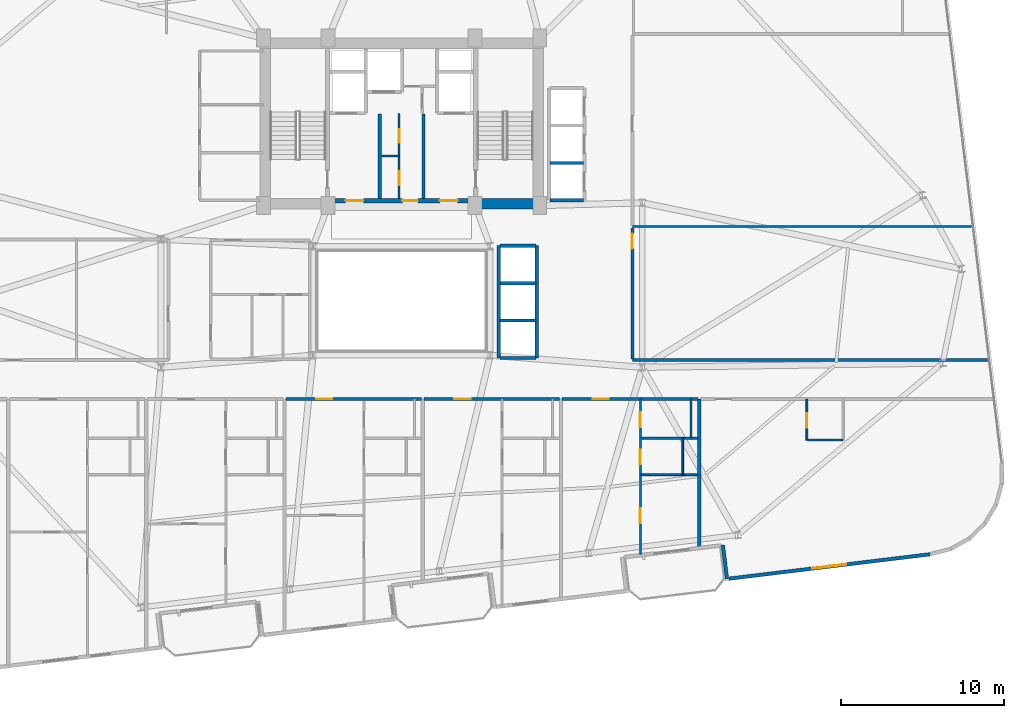
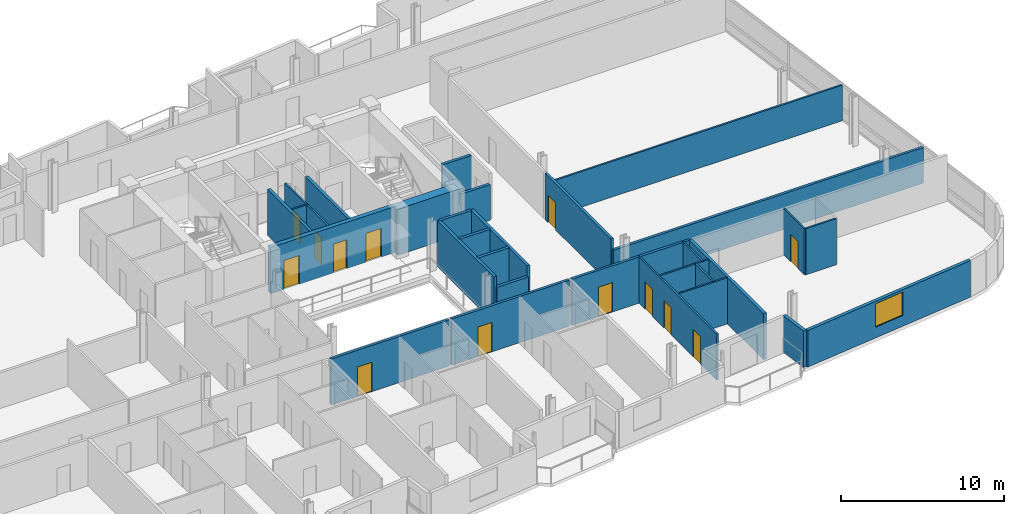
# One storey, part 16 of 23: 30 walls, 13 doors, 1 window, 14 openings.
"""IFC4 building model written with IfcOpenShell, lengths in metres."""

import ifcopenshell
import ifcopenshell.guid

model = None  # the IFC model being written
_history = None  # IfcOwnerHistory: only IFC2X3 demands one
_inside = {}  # id of a spatial element -> (the spatial element, [elements in it])
_under = {}  # id of a project, library or spatial element -> (it, [spatial elements below it])
_declared = {}  # id of a project -> (the project, [libraries it declares])
_typed = {}  # id of a type object -> (the type object, [elements of that type])
_made_of = {}  # id of a material, layer set ... -> (it, [elements and type objects made of it])


def new_model(schema):
    """Start an empty IFC model of exactly this schema.

    Asked for "IFC4X3", IfcOpenShell would pick the latest addendum, in which some entities
    have other attributes; the version numbers below select the first issue.
    IFC2X3 requires an IfcOwnerHistory on every rooted entity: one is made here for all.
    """
    global model, _history
    if schema == "IFC4X3":
        model = ifcopenshell.file(schema_version=(4, 3, 0, 0))
    else:
        model = ifcopenshell.file(schema=schema)
    _inside.clear()
    _under.clear()
    _declared.clear()
    _typed.clear()
    _made_of.clear()
    _history = None
    if model.schema == "IFC2X3":
        org = make("IfcOrganization", Name="unknown")
        user = make(
            "IfcPersonAndOrganization",
            ThePerson=make("IfcPerson", FamilyName="unknown"),
            TheOrganization=org,
        )
        app = make(
            "IfcApplication",
            ApplicationDeveloper=org,
            Version="unknown",
            ApplicationFullName="unknown",
            ApplicationIdentifier="unknown",
        )
        _history = make(
            "IfcOwnerHistory",
            OwningUser=user,
            OwningApplication=app,
            ChangeAction="ADDED",
            CreationDate=0,
        )
    return model


def make(cls, **values):
    """One entity of the class cls with the attributes given. An attribute that is None is left unset."""
    return model.create_entity(
        cls, **{name: value for name, value in values.items() if value is not None}
    )


def rooted(cls, **values):
    """An entity with a GlobalId (a new one), such as an element, a storey or a relation."""
    return make(cls, GlobalId=ifcopenshell.guid.new(), OwnerHistory=_history, **values)


def si_unit(unit_type, name, prefix=None):
    """IfcSIUnit, for example si_unit("LENGTHUNIT", "METRE", prefix="MILLI")."""
    return make("IfcSIUnit", UnitType=unit_type, Prefix=prefix, Name=name)


def assignment(units):
    """IfcUnitAssignment: the units of a project."""
    return None if units is None else make("IfcUnitAssignment", Units=units)


def point(xyz):
    """IfcCartesianPoint."""
    return None if xyz is None else make("IfcCartesianPoint", Coordinates=xyz)


def direction(xyz):
    """IfcDirection."""
    return None if xyz is None else make("IfcDirection", DirectionRatios=xyz)


def frame(location, z_axis=None, x_axis=None):
    """IfcAxis2Placement3D, a coordinate frame: its origin and axes. An axis left out is left unset."""
    return make(
        "IfcAxis2Placement3D",
        Location=point(location),
        Axis=direction(z_axis),
        RefDirection=direction(x_axis),
    )


def frame_2d(location, x_axis=None):
    """IfcAxis2Placement2D, a coordinate frame in the plane: its origin and x axis."""
    return make(
        "IfcAxis2Placement2D", Location=point(location), RefDirection=direction(x_axis)
    )


def origin():
    """The frame at (0, 0, 0) with its axes left unset."""
    return frame((0.0, 0.0, 0.0))


def place(relative_to, where):
    """IfcLocalPlacement: puts the frame where relative to a parent placement (None: the world)."""
    return make(
        "IfcLocalPlacement", PlacementRelTo=relative_to, RelativePlacement=where
    )


def context(
    kind, dimensions, precision=None, world=None, true_north=None, identifier=None
):
    """IfcGeometricRepresentationContext, for example the 3D "Model" context."""
    return make(
        "IfcGeometricRepresentationContext",
        ContextIdentifier=identifier,
        ContextType=kind,
        CoordinateSpaceDimension=dimensions,
        Precision=precision,
        WorldCoordinateSystem=world,
        TrueNorth=true_north,
    )


def subcontext(parent, identifier, kind, view, scale=None):
    """IfcGeometricRepresentationSubContext, for example "Body" below "Model"."""
    return make(
        "IfcGeometricRepresentationSubContext",
        ContextIdentifier=identifier,
        ContextType=kind,
        ParentContext=parent,
        TargetScale=scale,
        TargetView=view,
    )


def project(units=None, contexts=None):
    """IfcProject with its units and contexts."""
    return rooted(
        "IfcProject",
        Name="project",
        RepresentationContexts=contexts,
        UnitsInContext=assignment(units),
    )


def spatial(cls, under=None, at=None, **own):
    """A site, building, storey or space (cls), placed at a placement, below another one or the project."""
    s = rooted(cls, ObjectPlacement=at, **own)
    if under is not None:
        _under.setdefault(under.id(), (under, []))[1].append(s)
    return s


def profile(cls, at=None, kind="AREA", **sizes):
    """A parametric profile (cls). Its sizes go by their IFC names, for example OverallWidth=200.0."""
    return make(cls, ProfileType=kind, Position=at, **sizes)


def rectangle(**sizes):
    """IfcRectangleProfileDef."""
    return profile("IfcRectangleProfileDef", **sizes)


def extrude(swept, where, along, depth):
    """IfcExtrudedAreaSolid: the profile swept, set in the frame where, extruded along a direction by depth."""
    return make(
        "IfcExtrudedAreaSolid",
        SweptArea=swept,
        Position=where,
        ExtrudedDirection=direction(along),
        Depth=depth,
    )


def shape(context_of_items, identifier, shape_type, items):
    """IfcShapeRepresentation: the items that make up one representation, for example the "Body"."""
    return make(
        "IfcShapeRepresentation",
        ContextOfItems=context_of_items,
        RepresentationIdentifier=identifier,
        RepresentationType=shape_type,
        Items=items,
    )


def material(Name=None, Category=None):
    """IfcMaterial."""
    return make("IfcMaterial", Name=Name, Category=Category)


def layer(
    of_material, thickness, ventilated=None, Name=None, Category=None, Priority=None
):
    """IfcMaterialLayer: one layer of a wall or slab, of a material (None: an air gap)."""
    return make(
        "IfcMaterialLayer",
        Material=of_material,
        LayerThickness=thickness,
        IsVentilated=ventilated,
        Name=Name,
        Category=Category,
        Priority=Priority,
    )


def layer_set(layers, Name=None):
    """IfcMaterialLayerSet."""
    return make("IfcMaterialLayerSet", MaterialLayers=layers, LayerSetName=Name)


def made_of(thing, what):
    """Note that an element or type object is made of a material, layer set ...; save() writes the relation."""
    if what is not None:
        _made_of.setdefault(what.id(), (what, []))[1].append(thing)
    return thing


def type_object(cls, material=None, **own):
    """A type object (cls), such as IfcWallType, which elements share."""
    return made_of(rooted(cls, **own), material)


def element(
    cls,
    number,
    at=None,
    inside=None,
    cuts=None,
    type_object=None,
    material=None,
    context=None,
    identifier="Body",
    shape_type=None,
    held_by="IfcProductDefinitionShape",
    body=None,
    shapes=None,
    **own,
):
    """One element of the class cls, such as IfcWall. Its Tag is "e" and its number.

    at: its placement. inside: the storey or other place that contains it. cuts: it is an
    opening in that element (IfcRelVoidsElement). A single representation is given by context,
    identifier, shape_type and body (its items); several are given by shapes. held_by: the class
    of the entity that holds the representations. save() writes the other relations.
    """
    e = rooted(cls, Tag="e%d" % number, ObjectPlacement=at, **own)
    if body is not None:
        shapes = [shape(context, identifier, shape_type, body)]
    if shapes is not None:
        e.Representation = make(held_by, Representations=shapes)
    if inside is not None:
        _inside.setdefault(inside.id(), (inside, []))[1].append(e)
    if cuts is not None:
        rooted(
            "IfcRelVoidsElement", RelatingBuildingElement=cuts, RelatedOpeningElement=e
        )
    if type_object is not None:
        _typed.setdefault(type_object.id(), (type_object, []))[1].append(e)
    return made_of(e, material)


def fill(opening, filler):
    """IfcRelFillsElement: the door or window that sits in an opening."""
    return rooted(
        "IfcRelFillsElement",
        RelatingOpeningElement=opening,
        RelatedBuildingElement=filler,
    )


def aggregate(whole, parts):
    """IfcRelAggregates: a whole, such as a stair, and the parts it consists of."""
    return rooted("IfcRelAggregates", RelatingObject=whole, RelatedObjects=parts)


def save(model, path):
    """Write the relations noted so far, then the file.

    IfcRelAggregates (storeys below a building ...), IfcRelContainedInSpatialStructure (elements
    in a storey), IfcRelDefinesByType, IfcRelAssociatesMaterial and IfcRelDeclares: one each for
    every whole, place, type object, material and project.
    """
    for whole, parts in _under.values():
        aggregate(whole, parts)
    for where, things in _inside.values():
        rooted(
            "IfcRelContainedInSpatialStructure",
            RelatedElements=things,
            RelatingStructure=where,
        )
    for kind, things in _typed.values():
        rooted("IfcRelDefinesByType", RelatedObjects=things, RelatingType=kind)
    for what, things in _made_of.values():
        rooted("IfcRelAssociatesMaterial", RelatedObjects=things, RelatingMaterial=what)
    for by, libraries in _declared.values():
        rooted("IfcRelDeclares", RelatingContext=by, RelatedDefinitions=libraries)
    model.write(path)


model = new_model("IFC4")

# Units and contexts
model_context = context("Model", 3, precision=1e-05, world=origin(), true_north=direction((0.0, 1.0)))
body_context = subcontext(model_context, "Body", "Model", "MODEL_VIEW")
ifc_project = project(units=[si_unit("LENGTHUNIT", "METRE"), si_unit("AREAUNIT", "SQUARE_METRE"), si_unit("VOLUMEUNIT", "CUBIC_METRE"), si_unit("PLANEANGLEUNIT", "RADIAN"), si_unit("MASSUNIT", "GRAM", prefix="KILO")], contexts=[model_context])

# Site, building, storey
site_placement = place(None, origin())
site = spatial("IfcSite", under=ifc_project, at=site_placement, CompositionType="ELEMENT")
building_placement = place(site_placement, origin())
building = spatial("IfcBuilding", under=site, at=building_placement, Name="Varnelok Gate Tower", CompositionType="ELEMENT")
storey_placement = place(building_placement, frame((0.0, 0.0, 189.39990234375)))
storey = spatial("IfcBuildingStorey", under=building, at=storey_placement, Name="L48", CompositionType="ELEMENT", Elevation=189.39990234375)

# Wall
ifc_material_1 = material(Name="Concrete C45/55", Category="concrete")
ifc_layer_1 = layer(ifc_material_1, 0.219970703125)
ifc_layer_set_1 = layer_set([ifc_layer_1], Name="Concrete C45/55")
wall_type_1 = type_object("IfcWallType", Name="EW-BALC-220", PredefinedType="SOLIDWALL", material=ifc_layer_set_1)
wall_1_placement = place(storey_placement, frame((58.961181640625, 7.87158203125, 0.0), z_axis=(0.0, 0.0, 1.0), x_axis=(0.120327895535, -0.992734202874, 0.0)))
element("IfcWall", 1, at=wall_1_placement, inside=storey, type_object=wall_type_1, Name="L48 Perimeter Facade Closure Wall 15", PredefinedType="SOLIDWALL", context=body_context, shape_type="SweptSolid", body=[
    extrude(rectangle(XDim=2.099853515625, YDim=0.219970703125, at=frame_2d((1.0498046875, 0.0))), origin(), (0.0, 0.0, 1.0), 2.72998046875),
])

# Wall, opening, window
wall_2_placement = place(storey_placement, frame((59.337890625, 5.8017578125, 0.0), z_axis=(0.0, 0.0, 1.0), x_axis=(0.992731225757, 0.120352454927, 0.0)))
wall_2 = element("IfcWall", 2, at=wall_2_placement, inside=storey, type_object=wall_type_1, Name="L48 Perimeter Facade Closure Wall 16", PredefinedType="SOLIDWALL", context=body_context, shape_type="SweptSolid", body=[
    extrude(rectangle(XDim=12.447265625, YDim=0.219970703125, at=frame_2d((6.2236328125, 0.0))), origin(), (0.0, 0.0, 1.0), 2.72998046875),
])
opening_1_placement = place(wall_2_placement, frame((5.173583984375, 0.0, 0.800048828125)))
opening_1 = element("IfcOpeningElement", 3, at=opening_1_placement, cuts=wall_2, Name="Opening WN4", PredefinedType="OPENING", context=body_context, shape_type="SweptSolid", body=[
    extrude(rectangle(XDim=2.10009765625, YDim=1.75, at=frame_2d((1.050048828125, 0.875))), frame((0.0, 0.119873046875, 0.0), z_axis=(0.0, -1.0, 0.0), x_axis=(1.0, 0.0, 0.0)), (0.0, 0.0, 1.0), 0.239990234375),
])
ifc_material_2 = material(Name="Low-E Laminated Double Glazing IGU", Category="glass")
window_type = type_object("IfcWindowType", Name="WN-SUI-2100", PartitioningType="SINGLE_PANEL", PredefinedType="WINDOW", material=ifc_material_2)
window_placement = place(opening_1_placement, origin())
window = element("IfcWindow", 4, at=window_placement, inside=storey, type_object=window_type, Name="L48 Perimeter Vision Window 16", OverallHeight=1.75, OverallWidth=2.10009765625, PartitioningType="SINGLE_PANEL", PredefinedType="WINDOW", context=body_context, shape_type="SweptSolid", body=[
    extrude(rectangle(XDim=2.10009765625, YDim=1.75, at=frame_2d((1.050048828125, 0.875))), frame((0.0, 0.030029296875, 0.0), z_axis=(0.0, -1.0, 0.0), x_axis=(1.0, 0.0, 0.0)), (0.0, 0.0, 1.0), 0.06005859375),
])
fill(opening_1, window)

# Wall, opening, door
ifc_material_3 = material(Name="Gypsum Plasterboard Acoustic Partition", Category="gypsum")
ifc_layer_2 = layer(ifc_material_3, 0.179931640625)
ifc_layer_set_2 = layer_set([ifc_layer_2], Name="Gypsum Plasterboard Acoustic Partition")
wall_type_2 = type_object("IfcWallType", Name="PW-CORR-180", PredefinedType="PARTITIONING", material=ifc_layer_set_2)
wall_3_placement = place(storey_placement, frame((32.080078125, 16.85009765625, 0.0), z_axis=(0.0, 0.0, 1.0), x_axis=(1.0, 0.0, 0.0)))
wall_3 = element("IfcWall", 5, at=wall_3_placement, inside=storey, type_object=wall_type_2, Name="Interior Partition", PredefinedType="PARTITIONING", context=body_context, shape_type="SweptSolid", body=[
    extrude(rectangle(XDim=8.33984375, YDim=0.179931640625, at=frame_2d((4.169921875, 0.0))), origin(), (0.0, 0.0, 1.0), 3.4501953125),
])
opening_2_placement = place(wall_3_placement, frame((1.86767578125, 0.0, 0.0)))
opening_2 = element("IfcOpeningElement", 6, at=opening_2_placement, cuts=wall_3, Name="Opening D-AP", PredefinedType="OPENING", context=body_context, shape_type="SweptSolid", body=[
    extrude(rectangle(XDim=1.0, YDim=2.199951171875, at=frame_2d((0.5, 1.10009765625))), frame((0.0, 0.099853515625, 0.0), z_axis=(0.0, -1.0, 0.0), x_axis=(1.0, 0.0, 0.0)), (0.0, 0.0, 1.0), 0.199951171875),
])
ifc_material_4 = material(Name="Engineered Hardwood Timber", Category="wood")
door_type_1 = type_object("IfcDoorType", Name="DR-APT-1000", OperationType="NOTDEFINED", PredefinedType="DOOR", material=ifc_material_4)
door_1_placement = place(opening_2_placement, origin())
door_1 = element("IfcDoor", 7, at=door_1_placement, inside=storey, type_object=door_type_1, Name="L48 Apartment 4 Entrance Door", OperationType="SINGLE_SWING_LEFT", OverallHeight=2.199951171875, OverallWidth=1.0, PredefinedType="DOOR", context=body_context, shape_type="SweptSolid", body=[
    extrude(rectangle(XDim=1.0, YDim=2.199951171875, at=frame_2d((0.5, 1.10009765625))), frame((0.0, 0.02490234375, 0.0), z_axis=(0.0, -1.0, 0.0), x_axis=(1.0, 0.0, 0.0)), (0.0, 0.0, 1.0), 0.050048828125),
])
fill(opening_2, door_1)

wall_4_placement = place(storey_placement, frame((40.580078125, 16.85009765625, 0.0), z_axis=(0.0, 0.0, 1.0), x_axis=(1.0, 0.0, 0.0)))
wall_4 = element("IfcWall", 8, at=wall_4_placement, inside=storey, type_object=wall_type_2, Name="Interior Partition", PredefinedType="PARTITIONING", context=body_context, shape_type="SweptSolid", body=[
    extrude(rectangle(XDim=8.33984375, YDim=0.179931640625, at=frame_2d((4.169921875, 0.0))), origin(), (0.0, 0.0, 1.0), 3.4501953125),
])
opening_3_placement = place(wall_4_placement, frame((1.86767578125, 0.0, 0.0)))
opening_3 = element("IfcOpeningElement", 9, at=opening_3_placement, cuts=wall_4, Name="Opening D-AP", PredefinedType="OPENING", context=body_context, shape_type="SweptSolid", body=[
    extrude(rectangle(XDim=1.0, YDim=2.199951171875, at=frame_2d((0.5, 1.10009765625))), frame((0.0, 0.099853515625, 0.0), z_axis=(0.0, -1.0, 0.0), x_axis=(1.0, 0.0, 0.0)), (0.0, 0.0, 1.0), 0.199951171875),
])
door_2_placement = place(opening_3_placement, origin())
door_2 = element("IfcDoor", 10, at=door_2_placement, inside=storey, type_object=door_type_1, Name="L48 Apartment 5 Entrance Door", OperationType="SINGLE_SWING_RIGHT", OverallHeight=2.199951171875, OverallWidth=1.0, PredefinedType="DOOR", context=body_context, shape_type="SweptSolid", body=[
    extrude(rectangle(XDim=1.0, YDim=2.199951171875, at=frame_2d((0.5, 1.10009765625))), frame((0.0, 0.02490234375, 0.0), z_axis=(0.0, -1.0, 0.0), x_axis=(1.0, 0.0, 0.0)), (0.0, 0.0, 1.0), 0.050048828125),
])
fill(opening_3, door_2)

wall_5_placement = place(storey_placement, frame((49.080078125, 16.85009765625, 0.0), z_axis=(0.0, 0.0, 1.0), x_axis=(1.0, 0.0, 0.0)))
wall_5 = element("IfcWall", 11, at=wall_5_placement, inside=storey, type_object=wall_type_2, Name="Interior Partition", PredefinedType="PARTITIONING", context=body_context, shape_type="SweptSolid", body=[
    extrude(rectangle(XDim=8.33984375, YDim=0.179931640625, at=frame_2d((4.169921875, 0.0))), origin(), (0.0, 0.0, 1.0), 3.4501953125),
])
opening_4_placement = place(wall_5_placement, frame((1.86767578125, 0.0, 0.0)))
opening_4 = element("IfcOpeningElement", 12, at=opening_4_placement, cuts=wall_5, Name="Opening D-AP", PredefinedType="OPENING", context=body_context, shape_type="SweptSolid", body=[
    extrude(rectangle(XDim=1.0, YDim=2.199951171875, at=frame_2d((0.5, 1.10009765625))), frame((0.0, 0.099853515625, 0.0), z_axis=(0.0, -1.0, 0.0), x_axis=(1.0, 0.0, 0.0)), (0.0, 0.0, 1.0), 0.199951171875),
])
door_3_placement = place(opening_4_placement, origin())
door_3 = element("IfcDoor", 13, at=door_3_placement, inside=storey, type_object=door_type_1, Name="L48 Apartment 6 Entrance Door", OperationType="SINGLE_SWING_LEFT", OverallHeight=2.199951171875, OverallWidth=1.0, PredefinedType="DOOR", context=body_context, shape_type="SweptSolid", body=[
    extrude(rectangle(XDim=1.0, YDim=2.199951171875, at=frame_2d((0.5, 1.10009765625))), frame((0.0, 0.02490234375, 0.0), z_axis=(0.0, -1.0, 0.0), x_axis=(1.0, 0.0, 0.0)), (0.0, 0.0, 1.0), 0.050048828125),
])
fill(opening_4, door_3)

wall_6_placement = place(storey_placement, frame((53.389892578125, 19.300048828125, 0.0), z_axis=(0.0, 0.0, 1.0), x_axis=(0.0, 1.0, 0.0)))
wall_6 = element("IfcWall", 14, at=wall_6_placement, inside=storey, type_object=wall_type_2, Name="Interior Partition", PredefinedType="PARTITIONING", context=body_context, shape_type="SweptSolid", body=[
    extrude(rectangle(XDim=8.070068359375, YDim=0.179931640625, at=frame_2d((4.03515625, 0.0))), origin(), (0.0, 0.0, 1.0), 3.4501953125),
])
opening_5_placement = place(wall_6_placement, frame((6.800048828125, 0.0, 0.0)))
opening_5 = element("IfcOpeningElement", 15, at=opening_5_placement, cuts=wall_6, Name="Opening D-I3", PredefinedType="OPENING", context=body_context, shape_type="SweptSolid", body=[
    extrude(rectangle(XDim=0.919921875, YDim=2.050048828125, at=frame_2d((0.4599609375, 1.02490234375))), frame((0.0, 0.099853515625, 0.0), z_axis=(0.0, -1.0, 0.0), x_axis=(1.0, 0.0, 0.0)), (0.0, 0.0, 1.0), 0.199951171875),
])
door_type_2 = type_object("IfcDoorType", Name="DR-INT-920", OperationType="NOTDEFINED", PredefinedType="DOOR", material=ifc_material_4)
door_4_placement = place(opening_5_placement, origin())
door_4 = element("IfcDoor", 16, at=door_4_placement, inside=storey, type_object=door_type_2, Name="L48 East Suite 1 Door", OperationType="SINGLE_SWING_LEFT", OverallHeight=2.050048828125, OverallWidth=0.919921875, PredefinedType="DOOR", context=body_context, shape_type="SweptSolid", body=[
    extrude(rectangle(XDim=0.919921875, YDim=2.050048828125, at=frame_2d((0.4599609375, 1.02490234375))), frame((0.0, 0.02490234375, 0.0), z_axis=(0.0, -1.0, 0.0), x_axis=(1.0, 0.0, 0.0)), (0.0, 0.0, 1.0), 0.050048828125),
])
fill(opening_5, door_4)

# Walls
wall_7_placement = place(storey_placement, frame((53.389892578125, 19.239990234375, 0.0), z_axis=(0.0, 0.0, 1.0), x_axis=(1.0, 0.0, 0.0)))
element("IfcWall", 17, at=wall_7_placement, inside=storey, type_object=wall_type_2, Name="Interior Partition", PredefinedType="PARTITIONING", context=body_context, shape_type="SweptSolid", body=[
    extrude(rectangle(XDim=21.922119140625, YDim=0.179931640625, at=frame_2d((10.9609375, 0.0))), origin(), (0.0, 0.0, 1.0), 2.662109375),
])
ifc_layer_3 = layer(ifc_material_3, 0.114990234375)
ifc_layer_set_3 = layer_set([ifc_layer_3], Name="Gypsum Plasterboard Acoustic Partition")
wall_type_3 = type_object("IfcWallType", Name="PW-ENS-125", PredefinedType="PARTITIONING", material=ifc_layer_set_3)
wall_8_placement = place(storey_placement, frame((53.955078125, 12.199951171875, 0.0), z_axis=(0.0, 0.0, 1.0), x_axis=(1.0, 0.0, 0.0)))
element("IfcWall", 18, at=wall_8_placement, inside=storey, type_object=wall_type_3, Name="Interior Partition", PredefinedType="PARTITIONING", context=body_context, shape_type="SweptSolid", body=[
    extrude(rectangle(XDim=3.46484375, YDim=0.114990234375, at=frame_2d((1.732421875, 0.0))), origin(), (0.0, 0.0, 1.0), 3.4501953125),
])
wall_9_placement = place(storey_placement, frame((56.4951171875, 12.199951171875, 0.0), z_axis=(0.0, 0.0, 1.0), x_axis=(0.0, 1.0, 0.0)))
element("IfcWall", 19, at=wall_9_placement, inside=storey, type_object=wall_type_3, Name="Interior Partition", PredefinedType="PARTITIONING", context=body_context, shape_type="SweptSolid", body=[
    extrude(rectangle(XDim=2.239990234375, YDim=0.114990234375, at=frame_2d((1.1201171875, 0.0))), origin(), (0.0, 0.0, 1.0), 3.4501953125),
])
wall_10_placement = place(storey_placement, frame((64.169921875, 14.330078125, 0.0), z_axis=(0.0, 0.0, 1.0), x_axis=(1.0, 0.0, 0.0)))
element("IfcWall", 20, at=wall_10_placement, inside=storey, type_object=wall_type_3, Name="Interior Partition", PredefinedType="PARTITIONING", context=body_context, shape_type="SweptSolid", body=[
    extrude(rectangle(XDim=2.150146484375, YDim=0.114990234375, at=frame_2d((1.0751953125, 0.0))), origin(), (0.0, 0.0, 1.0), 3.4501953125),
])

# Wall, opening, door
wall_11_placement = place(storey_placement, frame((64.1298828125, 14.330078125, 0.0), z_axis=(0.0, 0.0, 1.0), x_axis=(0.0, 1.0, 0.0)))
wall_11 = element("IfcWall", 21, at=wall_11_placement, inside=storey, type_object=wall_type_3, Name="Interior Partition", PredefinedType="PARTITIONING", context=body_context, shape_type="SweptSolid", body=[
    extrude(rectangle(XDim=2.52001953125, YDim=0.114990234375, at=frame_2d((1.260009765625, 0.0))), origin(), (0.0, 0.0, 1.0), 3.4501953125),
])
opening_6_placement = place(wall_11_placement, frame((0.760009765625, 0.0, 0.0)))
opening_6 = element("IfcOpeningElement", 22, at=opening_6_placement, cuts=wall_11, Name="Opening D-WC", PredefinedType="OPENING", context=body_context, shape_type="SweptSolid", body=[
    extrude(rectangle(XDim=0.89990234375, YDim=2.050048828125, at=frame_2d((0.449951171875, 1.02490234375))), frame((0.0, 0.0673828125, 0.0), z_axis=(0.0, -1.0, 0.0), x_axis=(1.0, 0.0, 0.0)), (0.0, 0.0, 1.0), 0.135009765625),
])
door_type_3 = type_object("IfcDoorType", Name="DR-BATH-900", OperationType="NOTDEFINED", PredefinedType="DOOR", material=ifc_material_4)
door_5_placement = place(opening_6_placement, origin())
door_5 = element("IfcDoor", 23, at=door_5_placement, inside=storey, type_object=door_type_3, Name="L48 Guest En-Suite 07 Door", OperationType="SINGLE_SWING_RIGHT", OverallHeight=2.050048828125, OverallWidth=0.89990234375, PredefinedType="DOOR", context=body_context, shape_type="SweptSolid", body=[
    extrude(rectangle(XDim=0.89990234375, YDim=2.050048828125, at=frame_2d((0.449951171875, 1.02490234375))), frame((0.0, 0.02490234375, 0.0), z_axis=(0.0, -1.0, 0.0), x_axis=(1.0, 0.0, 0.0)), (0.0, 0.0, 1.0), 0.050048828125),
])
fill(opening_6, door_5)

# Wall, openings, doors
ifc_layer_4 = layer(ifc_material_3, 0.125)
ifc_layer_set_4 = layer_set([ifc_layer_4], Name="Gypsum Plasterboard Acoustic Partition")
wall_type_4 = type_object("IfcWallType", Name="PW-PART-125", PredefinedType="PARTITIONING", material=ifc_layer_set_4)
wall_12_placement = place(storey_placement, frame((53.88525390625, 7.2763671875, 0.0), z_axis=(0.0, 0.0, 1.0), x_axis=(0.0, 1.0, 0.0)))
wall_12 = element("IfcWall", 24, at=wall_12_placement, inside=storey, type_object=wall_type_4, Name="Interior Partition", PredefinedType="PARTITIONING", context=body_context, shape_type="SweptSolid", body=[
    extrude(rectangle(XDim=9.57373046875, YDim=0.125, at=frame_2d((4.786865234375, 0.0))), origin(), (0.0, 0.0, 1.0), 3.4501953125),
])
opening_7_placement = place(wall_12_placement, frame((1.94189453125, 0.0, 0.0)))
opening_7 = element("IfcOpeningElement", 25, at=opening_7_placement, cuts=wall_12, Name="Opening D-I3", PredefinedType="OPENING", context=body_context, shape_type="SweptSolid", body=[
    extrude(rectangle(XDim=0.919921875, YDim=2.050048828125, at=frame_2d((0.4599609375, 1.02490234375))), frame((0.0, 0.072509765625, 0.0), z_axis=(0.0, -1.0, 0.0), x_axis=(1.0, 0.0, 0.0)), (0.0, 0.0, 1.0), 0.14501953125),
])
opening_8_placement = place(wall_12_placement, frame((5.551025390625, 0.0, 0.0)))
opening_8 = element("IfcOpeningElement", 26, at=opening_8_placement, cuts=wall_12, Name="Opening D-WC", PredefinedType="OPENING", context=body_context, shape_type="SweptSolid", body=[
    extrude(rectangle(XDim=0.89990234375, YDim=2.050048828125, at=frame_2d((0.449951171875, 1.02490234375))), frame((0.0, 0.072509765625, 0.0), z_axis=(0.0, -1.0, 0.0), x_axis=(1.0, 0.0, 0.0)), (0.0, 0.0, 1.0), 0.14501953125),
])
opening_9_placement = place(wall_12_placement, frame((7.84375, 0.0, 0.0)))
opening_9 = element("IfcOpeningElement", 27, at=opening_9_placement, cuts=wall_12, Name="Opening D-I3", PredefinedType="OPENING", context=body_context, shape_type="SweptSolid", body=[
    extrude(rectangle(XDim=0.919921875, YDim=2.050048828125, at=frame_2d((0.4599609375, 1.02490234375))), frame((0.0, 0.072509765625, 0.0), z_axis=(0.0, -1.0, 0.0), x_axis=(1.0, 0.0, 0.0)), (0.0, 0.0, 1.0), 0.14501953125),
])
door_6_placement = place(opening_8_placement, origin())
door_6 = element("IfcDoor", 28, at=door_6_placement, inside=storey, type_object=door_type_3, Name="L48 Apartment 6 Bathroom Door", OperationType="SINGLE_SWING_LEFT", OverallHeight=2.050048828125, OverallWidth=0.89990234375, PredefinedType="DOOR", context=body_context, shape_type="SweptSolid", body=[
    extrude(rectangle(XDim=0.89990234375, YDim=2.050048828125, at=frame_2d((0.449951171875, 1.02490234375))), frame((0.0, 0.02490234375, 0.0), z_axis=(0.0, -1.0, 0.0), x_axis=(1.0, 0.0, 0.0)), (0.0, 0.0, 1.0), 0.050048828125),
])
fill(opening_8, door_6)
door_7_placement = place(opening_7_placement, origin())
door_7 = element("IfcDoor", 29, at=door_7_placement, inside=storey, type_object=door_type_2, Name="L48 Apartment 6 Bedroom Door", OperationType="SINGLE_SWING_RIGHT", OverallHeight=2.050048828125, OverallWidth=0.919921875, PredefinedType="DOOR", context=body_context, shape_type="SweptSolid", body=[
    extrude(rectangle(XDim=0.919921875, YDim=2.050048828125, at=frame_2d((0.4599609375, 1.02490234375))), frame((0.0, 0.02490234375, 0.0), z_axis=(0.0, -1.0, 0.0), x_axis=(1.0, 0.0, 0.0)), (0.0, 0.0, 1.0), 0.050048828125),
])
fill(opening_7, door_7)
door_8_placement = place(opening_9_placement, origin())
door_8 = element("IfcDoor", 30, at=door_8_placement, inside=storey, type_object=door_type_2, Name="L48 Apartment 6 Kitchen Door", OperationType="SINGLE_SWING_RIGHT", OverallHeight=2.050048828125, OverallWidth=0.919921875, PredefinedType="DOOR", context=body_context, shape_type="SweptSolid", body=[
    extrude(rectangle(XDim=0.919921875, YDim=2.050048828125, at=frame_2d((0.4599609375, 1.02490234375))), frame((0.0, 0.02490234375, 0.0), z_axis=(0.0, -1.0, 0.0), x_axis=(1.0, 0.0, 0.0)), (0.0, 0.0, 1.0), 0.050048828125),
])
fill(opening_9, door_8)

# Walls
wall_13_placement = place(storey_placement, frame((53.955078125, 14.43994140625, 0.0), z_axis=(0.0, 0.0, 1.0), x_axis=(1.0, 0.0, 0.0)))
element("IfcWall", 31, at=wall_13_placement, inside=storey, type_object=wall_type_4, Name="Interior Partition", PredefinedType="PARTITIONING", context=body_context, shape_type="SweptSolid", body=[
    extrude(rectangle(XDim=3.46484375, YDim=0.125, at=frame_2d((1.732421875, 0.0))), origin(), (0.0, 0.0, 1.0), 3.4501953125),
])
wall_14_placement = place(storey_placement, frame((56.9951171875, 14.43994140625, 0.0), z_axis=(0.0, 0.0, 1.0), x_axis=(0.0, 1.0, 0.0)))
element("IfcWall", 32, at=wall_14_placement, inside=storey, type_object=wall_type_4, Name="Interior Partition", PredefinedType="PARTITIONING", context=body_context, shape_type="SweptSolid", body=[
    extrude(rectangle(XDim=2.41015625, YDim=0.125, at=frame_2d((1.205078125, 0.0))), origin(), (0.0, 0.0, 1.0), 3.4501953125),
])
wall_15_placement = place(storey_placement, frame((53.389892578125, 27.449951171875, 0.0), z_axis=(0.0, 0.0, 1.0), x_axis=(1.0, 0.0, 0.0)))
element("IfcWall", 33, at=wall_15_placement, inside=storey, type_object=wall_type_4, Name="Interior Partition", PredefinedType="PARTITIONING", context=body_context, shape_type="SweptSolid", body=[
    extrude(rectangle(XDim=20.927001953125, YDim=0.125, at=frame_2d((10.46337890625, 0.0))), origin(), (0.0, 0.0, 1.0), 2.662109375),
])
wall_16_placement = place(storey_placement, frame((37.9599609375, 31.800048828125, 0.0), z_axis=(0.0, 0.0, 1.0), x_axis=(1.0, 0.0, 0.0)))
element("IfcWall", 34, at=wall_16_placement, inside=storey, type_object=wall_type_4, Name="Interior Partition", PredefinedType="PARTITIONING", context=body_context, shape_type="SweptSolid", body=[
    extrude(rectangle(XDim=1.090087890625, YDim=0.125, at=frame_2d((0.544921875, 0.0))), origin(), (0.0, 0.0, 1.0), 3.4501953125),
])

# Wall, openings, doors
wall_17_placement = place(storey_placement, frame((39.050048828125, 29.199951171875, 0.0), z_axis=(0.0, 0.0, 1.0), x_axis=(0.0, 1.0, 0.0)))
wall_17 = element("IfcWall", 35, at=wall_17_placement, inside=storey, type_object=wall_type_4, Name="Interior Partition", PredefinedType="PARTITIONING", context=body_context, shape_type="SweptSolid", body=[
    extrude(rectangle(XDim=5.219970703125, YDim=0.125, at=frame_2d((2.60986328125, 0.0))), origin(), (0.0, 0.0, 1.0), 3.4501953125),
])
opening_10_placement = place(wall_17_placement, frame((0.800048828125, 0.0, 0.0)))
opening_10 = element("IfcOpeningElement", 36, at=opening_10_placement, cuts=wall_17, Name="Opening D-RS", PredefinedType="OPENING", context=body_context, shape_type="SweptSolid", body=[
    extrude(rectangle(XDim=0.85009765625, YDim=2.050048828125, at=frame_2d((0.425048828125, 1.02490234375))), frame((0.0, 0.072509765625, 0.0), z_axis=(0.0, -1.0, 0.0), x_axis=(1.0, 0.0, 0.0)), (0.0, 0.0, 1.0), 0.14501953125),
])
opening_11_placement = place(wall_17_placement, frame((3.39990234375, 0.0, 0.0)))
opening_11 = element("IfcOpeningElement", 37, at=opening_11_placement, cuts=wall_17, Name="Opening D-RS", PredefinedType="OPENING", context=body_context, shape_type="SweptSolid", body=[
    extrude(rectangle(XDim=0.85009765625, YDim=2.050048828125, at=frame_2d((0.425048828125, 1.02490234375))), frame((0.0, 0.072509765625, 0.0), z_axis=(0.0, -1.0, 0.0), x_axis=(1.0, 0.0, 0.0)), (0.0, 0.0, 1.0), 0.14501953125),
])
ifc_material_5 = material(Name="Galvanized Steel Grade S350GD", Category="steel")
door_type_4 = type_object("IfcDoorType", Name="DR-RISER-850", OperationType="NOTDEFINED", PredefinedType="DOOR", material=ifc_material_5)
door_9_placement = place(opening_10_placement, origin())
door_9 = element("IfcDoor", 38, at=door_9_placement, inside=storey, type_object=door_type_4, Name="L48 Housekeeping Linen Door", OperationType="SINGLE_SWING_LEFT", OverallHeight=2.050048828125, OverallWidth=0.85009765625, PredefinedType="DOOR", context=body_context, shape_type="SweptSolid", body=[
    extrude(rectangle(XDim=0.85009765625, YDim=2.050048828125, at=frame_2d((0.425048828125, 1.02490234375))), frame((0.0, 0.02490234375, 0.0), z_axis=(0.0, -1.0, 0.0), x_axis=(1.0, 0.0, 0.0)), (0.0, 0.0, 1.0), 0.050048828125),
])
fill(opening_10, door_9)
door_10_placement = place(opening_11_placement, origin())
door_10 = element("IfcDoor", 39, at=door_10_placement, inside=storey, type_object=door_type_4, Name="L48 Janitor Sink Door", OperationType="SINGLE_SWING_RIGHT", OverallHeight=2.050048828125, OverallWidth=0.85009765625, PredefinedType="DOOR", context=body_context, shape_type="SweptSolid", body=[
    extrude(rectangle(XDim=0.85009765625, YDim=2.050048828125, at=frame_2d((0.425048828125, 1.02490234375))), frame((0.0, 0.02490234375, 0.0), z_axis=(0.0, -1.0, 0.0), x_axis=(1.0, 0.0, 0.0)), (0.0, 0.0, 1.0), 0.050048828125),
])
fill(opening_11, door_10)

# Walls
ifc_layer_5 = layer(ifc_material_3, 0.205078125)
ifc_layer_set_5 = layer_set([ifc_layer_5], Name="Gypsum Plasterboard Acoustic Partition")
wall_type_5 = type_object("IfcWallType", Name="PW-PARTY-200", PredefinedType="PARTITIONING", material=ifc_layer_set_5)
wall_18_placement = place(storey_placement, frame((57.5, 7.714599609375, 0.0), z_axis=(0.0, 0.0, 1.0), x_axis=(0.0, 1.0, 0.0)))
element("IfcWall", 40, at=wall_18_placement, inside=storey, type_object=wall_type_5, Name="L48 South Party Wall 6", PredefinedType="PARTITIONING", context=body_context, shape_type="SweptSolid", body=[
    extrude(rectangle(XDim=9.135498046875, YDim=0.205078125, at=frame_2d((4.56787109375, 0.0))), origin(), (0.0, 0.0, 1.0), 3.4501953125),
])
ifc_material_6 = material(Name="Concrete C35/45", Category="concrete")
ifc_layer_6 = layer(ifc_material_6, 0.199951171875)
ifc_layer_set_6 = layer_set([ifc_layer_6], Name="Concrete C35/45")
wall_type_6 = type_object("IfcWallType", Name="PW-SHAFT-200", PredefinedType="PARTITIONING", material=ifc_layer_set_6)
for number, where, z_axis, x_axis, name in (
    (41, (37.860107421875, 29.199951171875, 0.0), (0.0, 0.0, 1.0), (0.0, 1.0, 0.0), "L48 West FF Lobby Rated Wall"),
    (42, (40.5400390625, 29.199951171875, 0.0), (0.0, 0.0, 1.0), (0.0, 1.0, 0.0), "L48 East FF Lobby Rated Wall"),
):
    element("IfcWall", number, at=place(storey_placement, frame(where, z_axis=z_axis, x_axis=x_axis)), inside=storey, type_object=wall_type_6, Name=name, PredefinedType="PARTITIONING", context=body_context, shape_type="SweptSolid", body=[
        extrude(rectangle(XDim=5.179931640625, YDim=0.199951171875, at=frame_2d((2.58984375, 0.0))), origin(), (0.0, 0.0, 1.0), 3.4501953125),
    ])
wall_19_placement = place(storey_placement, frame((48.320068359375, 31.375, 0.0), z_axis=(0.0, 0.0, 1.0), x_axis=(1.0, 0.0, 0.0)))
element("IfcWall", 43, at=wall_19_placement, inside=storey, type_object=wall_type_6, Name="L48 PM1 Divider", PredefinedType="PARTITIONING", context=body_context, shape_type="SweptSolid", body=[
    extrude(rectangle(XDim=2.059814453125, YDim=0.199951171875, at=frame_2d((1.02978515625, 0.0))), origin(), (0.0, 0.0, 1.0), 3.4501953125),
])
wall_20_placement = place(storey_placement, frame((48.320068359375, 29.080078125, 0.0), z_axis=(0.0, 0.0, 1.0), x_axis=(1.0, 0.0, 0.0)))
element("IfcWall", 44, at=wall_20_placement, inside=storey, type_object=wall_type_6, Name="L48 PM Bank South Wall", PredefinedType="PARTITIONING", context=body_context, shape_type="SweptSolid", body=[
    extrude(rectangle(XDim=2.059814453125, YDim=0.199951171875, at=frame_2d((1.02978515625, 0.0))), origin(), (0.0, 0.0, 1.0), 2.662109375),
])
for number, where, z_axis, x_axis, name in (
    (45, (45.239990234375, 21.675048828125, 0.0), (0.0, 0.0, 1.0), (1.0, 0.0, 0.0), "L48 PH1 Divider"),
    (46, (45.239990234375, 23.97509765625, 0.0), (0.0, 0.0, 1.0), (1.0, 0.0, 0.0), "L48 PH2 Divider"),
):
    element("IfcWall", number, at=place(storey_placement, frame(where, z_axis=z_axis, x_axis=x_axis)), inside=storey, type_object=wall_type_6, Name=name, PredefinedType="PARTITIONING", context=body_context, shape_type="SweptSolid", body=[
        extrude(rectangle(XDim=2.219970703125, YDim=0.199951171875, at=frame_2d((1.10986328125, 0.0))), origin(), (0.0, 0.0, 1.0), 3.4501953125),
    ])
wall_21_placement = place(storey_placement, frame((45.239990234375, 19.3798828125, 0.0), z_axis=(0.0, 0.0, 1.0), x_axis=(1.0, 0.0, 0.0)))
element("IfcWall", 47, at=wall_21_placement, inside=storey, type_object=wall_type_6, Name="L48 PH Bank South Wall", PredefinedType="PARTITIONING", context=body_context, shape_type="SweptSolid", body=[
    extrude(rectangle(XDim=2.219970703125, YDim=0.199951171875, at=frame_2d((1.10986328125, 0.0))), origin(), (0.0, 0.0, 1.0), 2.662109375),
])
wall_22_placement = place(storey_placement, frame((45.239990234375, 26.280029296875, 0.0), z_axis=(0.0, 0.0, 1.0), x_axis=(1.0, 0.0, 0.0)))
element("IfcWall", 48, at=wall_22_placement, inside=storey, type_object=wall_type_6, Name="L48 PH Bank North Wall", PredefinedType="PARTITIONING", context=body_context, shape_type="SweptSolid", body=[
    extrude(rectangle(XDim=2.219970703125, YDim=0.199951171875, at=frame_2d((1.10986328125, 0.0))), origin(), (0.0, 0.0, 1.0), 3.4501953125),
])
for number, where, z_axis, x_axis, name in (
    (49, (45.179931640625, 19.3798828125, 0.0), (0.0, 0.0, 1.0), (0.0, 1.0, 0.0), "L48 PH Bank Atrium Wall"),
    (50, (47.52001953125, 19.3798828125, 0.0), (0.0, 0.0, 1.0), (0.0, 1.0, 0.0), "L48 PH Bank Front Wall"),
):
    element("IfcWall", number, at=place(storey_placement, frame(where, z_axis=z_axis, x_axis=x_axis)), inside=storey, type_object=wall_type_6, Name=name, PredefinedType="PARTITIONING", context=body_context, shape_type="SweptSolid", body=[
        extrude(rectangle(XDim=6.900146484375, YDim=0.199951171875, at=frame_2d((3.4501953125, 0.0))), origin(), (0.0, 0.0, 1.0), 3.4501953125),
    ])
ifc_material_7 = material(Name="Concrete C60/75", Category="concrete")
ifc_layer_7 = layer(ifc_material_7, 0.64990234375)
ifc_layer_set_7 = layer_set([ifc_layer_7], Name="Concrete C60/75")
wall_type_7 = type_object("IfcWallType", Name="SW-CORE-650", PredefinedType="SHEAR", material=ifc_layer_set_7)
wall_23_placement = place(storey_placement, frame((43.60009765625, 28.875, 0.0), z_axis=(0.0, 0.0, 1.0), x_axis=(1.0, 0.0, 0.0)))
element("IfcWall", 51, at=wall_23_placement, inside=storey, type_object=wall_type_7, Name="L48 Rear Core South-East Shear Wall", PredefinedType="SHEAR", context=body_context, shape_type="SweptSolid", body=[
    extrude(rectangle(XDim=4.31982421875, YDim=0.64990234375, at=frame_2d((2.159912109375, 0.0))), origin(), (0.0, 0.0, 1.0), 3.4501953125),
])

# Wall, openings, doors
ifc_layer_8 = layer(ifc_material_7, 0.300048828125)
ifc_layer_set_8 = layer_set([ifc_layer_8], Name="Concrete C60/75")
wall_type_8 = type_object("IfcWallType", Name="SW-SHAFT-300", PredefinedType="SHEAR", material=ifc_layer_set_8)
wall_24_placement = place(storey_placement, frame((34.800048828125, 29.050048828125, 0.0), z_axis=(0.0, 0.0, 1.0), x_axis=(1.0, 0.0, 0.0)))
wall_24 = element("IfcWall", 52, at=wall_24_placement, inside=storey, type_object=wall_type_8, Name="L48 Rear Core Central Lobby Shear Wall", PredefinedType="SHEAR", context=body_context, shape_type="SweptSolid", body=[
    extrude(rectangle(XDim=8.800048828125, YDim=0.300048828125, at=frame_2d((4.39990234375, 0.0))), origin(), (0.0, 0.0, 1.0), 3.4501953125),
])
opening_12_placement = place(wall_24_placement, frame((0.949951171875, 0.0, 0.0)))
opening_12 = element("IfcOpeningElement", 53, at=opening_12_placement, cuts=wall_24, Name="Opening D-FF", PredefinedType="OPENING", context=body_context, shape_type="SweptSolid", body=[
    extrude(rectangle(XDim=1.10009765625, YDim=2.14990234375, at=frame_2d((0.550048828125, 1.074951171875))), frame((0.0, 0.159912109375, 0.0), z_axis=(0.0, -1.0, 0.0), x_axis=(1.0, 0.0, 0.0)), (0.0, 0.0, 1.0), 0.320068359375),
])
opening_13_placement = place(wall_24_placement, frame((6.75, 0.0, 0.0)))
opening_13 = element("IfcOpeningElement", 54, at=opening_13_placement, cuts=wall_24, Name="Opening D-FF", PredefinedType="OPENING", context=body_context, shape_type="SweptSolid", body=[
    extrude(rectangle(XDim=1.10009765625, YDim=2.14990234375, at=frame_2d((0.550048828125, 1.074951171875))), frame((0.0, 0.159912109375, 0.0), z_axis=(0.0, -1.0, 0.0), x_axis=(1.0, 0.0, 0.0)), (0.0, 0.0, 1.0), 0.320068359375),
])
opening_14_placement = place(wall_24_placement, frame((4.449951171875, 0.0, 0.0)))
opening_14 = element("IfcOpeningElement", 55, at=opening_14_placement, cuts=wall_24, Name="Opening D-CR", PredefinedType="OPENING", context=body_context, shape_type="SweptSolid", body=[
    extrude(rectangle(XDim=0.949951171875, YDim=2.14990234375, at=frame_2d((0.47509765625, 1.074951171875))), frame((0.0, 0.159912109375, 0.0), z_axis=(0.0, -1.0, 0.0), x_axis=(1.0, 0.0, 0.0)), (0.0, 0.0, 1.0), 0.320068359375),
])
door_type_5 = type_object("IfcDoorType", Name="DR-CORR-950", OperationType="NOTDEFINED", PredefinedType="DOOR", material=ifc_material_5)
door_11_placement = place(opening_14_placement, origin())
door_11 = element("IfcDoor", 56, at=door_11_placement, inside=storey, type_object=door_type_5, Name="L48 Core Service Passage Door", OperationType="SINGLE_SWING_LEFT", OverallHeight=2.14990234375, OverallWidth=0.949951171875, PredefinedType="DOOR", context=body_context, shape_type="SweptSolid", body=[
    extrude(rectangle(XDim=0.949951171875, YDim=2.14990234375, at=frame_2d((0.47509765625, 1.074951171875))), frame((0.0, 0.02490234375, 0.0), z_axis=(0.0, -1.0, 0.0), x_axis=(1.0, 0.0, 0.0)), (0.0, 0.0, 1.0), 0.050048828125),
])
fill(opening_14, door_11)
door_type_6 = type_object("IfcDoorType", Name="DR-FFLOB-1100", OperationType="NOTDEFINED", PredefinedType="DOOR", material=ifc_material_5)
door_12_placement = place(opening_12_placement, origin())
door_12 = element("IfcDoor", 57, at=door_12_placement, inside=storey, type_object=door_type_6, Name="L48 West Firefighting Lobby Fire Door", OperationType="SINGLE_SWING_RIGHT", OverallHeight=2.14990234375, OverallWidth=1.10009765625, PredefinedType="DOOR", context=body_context, shape_type="SweptSolid", body=[
    extrude(rectangle(XDim=1.10009765625, YDim=2.14990234375, at=frame_2d((0.550048828125, 1.074951171875))), frame((0.0, 0.02490234375, 0.0), z_axis=(0.0, -1.0, 0.0), x_axis=(1.0, 0.0, 0.0)), (0.0, 0.0, 1.0), 0.050048828125),
])
fill(opening_12, door_12)
door_13_placement = place(opening_13_placement, origin())
door_13 = element("IfcDoor", 58, at=door_13_placement, inside=storey, type_object=door_type_6, Name="L48 East Firefighting Lobby Fire Door", OperationType="SINGLE_SWING_LEFT", OverallHeight=2.14990234375, OverallWidth=1.10009765625, PredefinedType="DOOR", context=body_context, shape_type="SweptSolid", body=[
    extrude(rectangle(XDim=1.10009765625, YDim=2.14990234375, at=frame_2d((0.550048828125, 1.074951171875))), frame((0.0, 0.02490234375, 0.0), z_axis=(0.0, -1.0, 0.0), x_axis=(1.0, 0.0, 0.0)), (0.0, 0.0, 1.0), 0.050048828125),
])
fill(opening_13, door_13)

save(model, "model.ifc")
